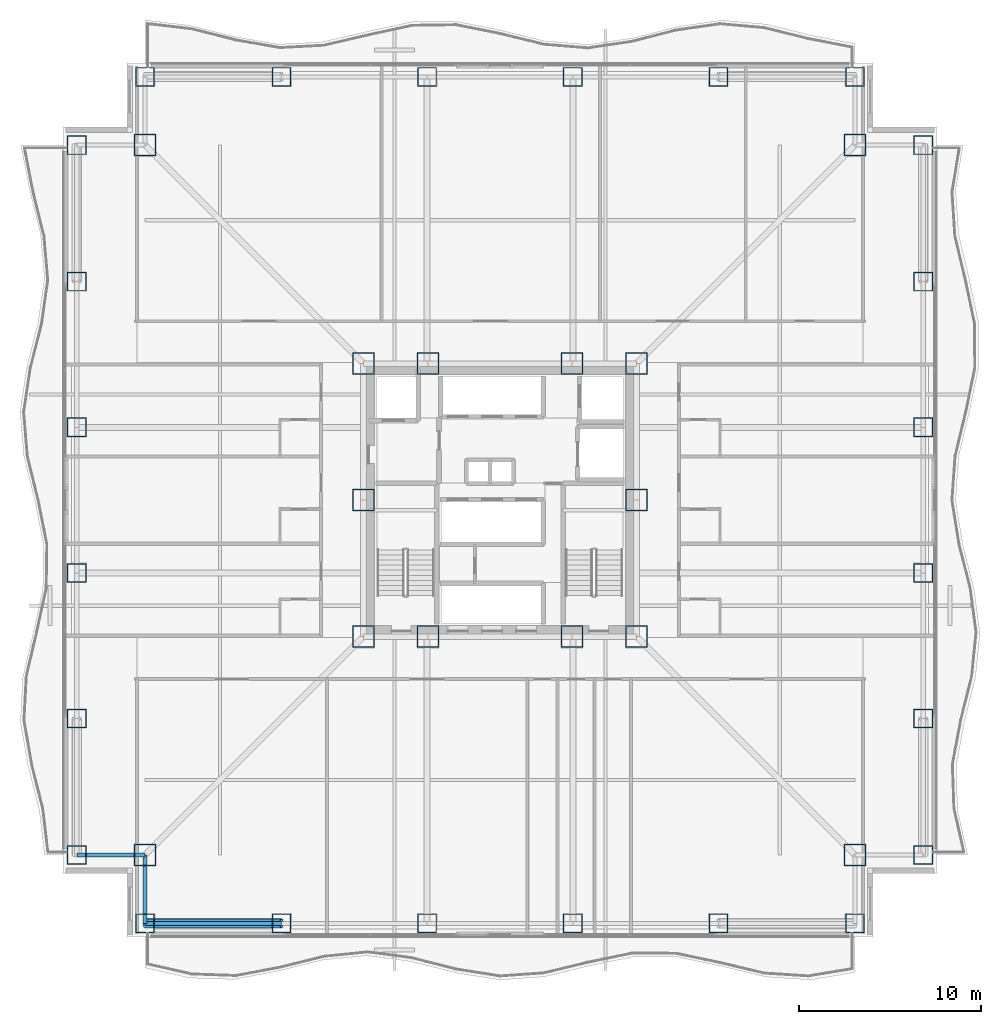
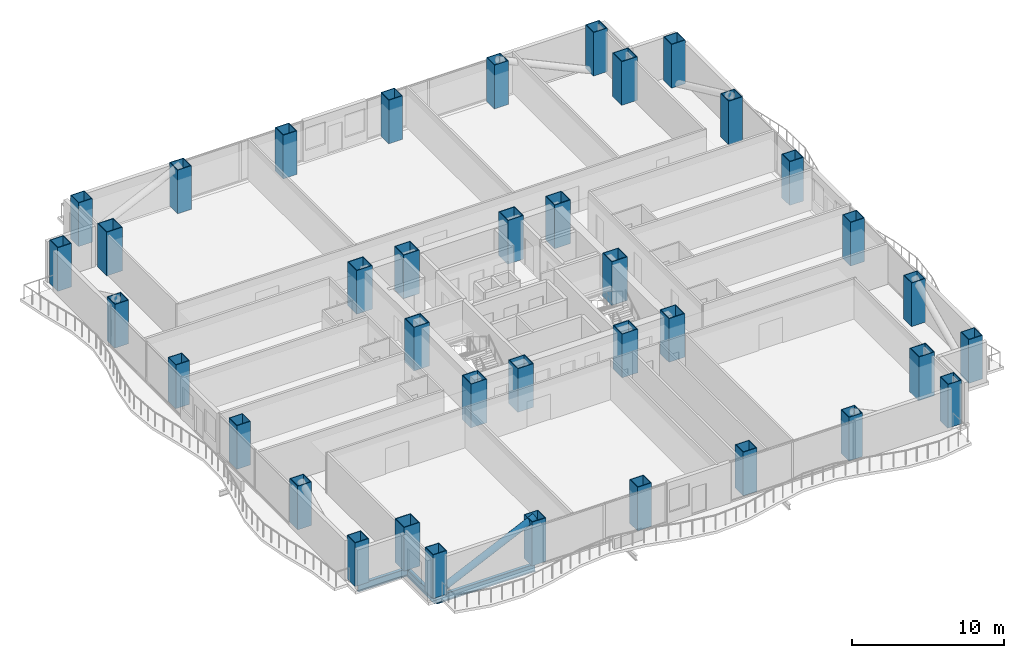
# One storey, part 1 of 24: 38 columns, 3 beams, 1 member.
"""IFC4 building model written with IfcOpenShell, lengths in metres."""

from ifc_helpers import new_model, si_unit, direction, frame, origin, origin_2d, place, context, subcontext, project, spatial, hollow_rectangle, hollow_circle, i_section, extrude, material, material_profile, profile_set, type_object, element, save


model = new_model("IFC4")

# Units and contexts
model_context = context("Model", 3, precision=1e-05, world=origin(), true_north=direction((0.0, 1.0)))
body_context = subcontext(model_context, "Body", "Model", "MODEL_VIEW")
ifc_project = project(units=[si_unit("LENGTHUNIT", "METRE"), si_unit("AREAUNIT", "SQUARE_METRE"), si_unit("VOLUMEUNIT", "CUBIC_METRE"), si_unit("PLANEANGLEUNIT", "RADIAN"), si_unit("MASSUNIT", "GRAM", prefix="KILO")], contexts=[model_context])

# Site, building, storey
site_placement = place(None, origin())
site = spatial("IfcSite", under=ifc_project, at=site_placement, CompositionType="ELEMENT")
building_placement = place(site_placement, origin())
building = spatial("IfcBuilding", under=site, at=building_placement, Name="Trevonay Congress Spire", CompositionType="ELEMENT")
storey_placement = place(building_placement, frame((0.0, 0.0, 55.0)))
storey = spatial("IfcBuildingStorey", under=building, at=storey_placement, Name="L13", CompositionType="ELEMENT", Elevation=55.0)

# Columns
ifc_material = material(Name="Steel ASTM A572 Grade 50", Category="steel")
ifc_material_profile_1 = material_profile(ifc_material, hollow_rectangle(XDim=1.199951171875, YDim=1.199951171875, WallThickness=0.054931640625, at=origin_2d()), Name="BOX 1200x1200x55")
ifc_profile_set_1 = profile_set([ifc_material_profile_1], Name="Steel ASTM A572 Grade 50")
column_type_1 = type_object("IfcColumnType", Name="COL-CORE-BOX1200", PredefinedType="COLUMN", material=ifc_profile_set_1)
for number, where, z_axis, x_axis, name in (
    (1, (-7.5, -7.5, 0.0), (0.0, 0.0, 1.0), (1.0, 0.0, 0.0), "L13 column C02 at CC-SW"),
    (2, (-3.949951171875, -7.5, 0.0), (0.0, 0.0, 1.0), (1.0, 0.0, 0.0), "L13 column C02 at CC-SMW"),
    (3, (3.949951171875, -7.5, 0.0), (0.0, 0.0, 1.0), (1.0, 0.0, 0.0), "L13 column C02 at CC-SME"),
    (4, (7.5, -7.5, 0.0), (0.0, 0.0, 1.0), (1.0, 0.0, 0.0), "L13 column C02 at CC-SE"),
    (5, (7.5, 0.0, 0.0), (0.0, 0.0, 1.0), (1.0, 0.0, 0.0), "L13 column C02 at CC-E"),
    (6, (7.5, 7.5, 0.0), (0.0, 0.0, 1.0), (1.0, 0.0, 0.0), "L13 column C02 at CC-NE"),
    (7, (3.949951171875, 7.5, 0.0), (0.0, 0.0, 1.0), (1.0, 0.0, 0.0), "L13 column C02 at CC-NME"),
    (8, (-3.949951171875, 7.5, 0.0), (0.0, 0.0, 1.0), (1.0, 0.0, 0.0), "L13 column C02 at CC-NMW"),
    (9, (-7.5, 7.5, 0.0), (0.0, 0.0, 1.0), (1.0, 0.0, 0.0), "L13 column C02 at CC-NW"),
    (10, (-7.5, 0.0, 0.0), (0.0, 0.0, 1.0), (1.0, 0.0, 0.0), "L13 column C02 at CC-W"),
):
    element("IfcColumn", number, at=place(storey_placement, frame(where, z_axis=z_axis, x_axis=x_axis)), inside=storey, type_object=column_type_1, Name=name, PredefinedType="COLUMN", context=body_context, shape_type="SweptSolid", body=[
        extrude(hollow_rectangle(XDim=1.199951171875, YDim=1.199951171875, WallThickness=0.054931640625, at=origin_2d()), origin(), (0.0, 0.0, 1.0), 3.5),
    ])
ifc_material_profile_2 = material_profile(ifc_material, hollow_rectangle(XDim=1.199951171875, YDim=1.199951171875, WallThickness=0.054931640625, at=origin_2d()), Name="BOX 1200x1200x55")
ifc_profile_set_2 = profile_set([ifc_material_profile_2], Name="Steel ASTM A572 Grade 50")
column_type_2 = type_object("IfcColumnType", Name="COL-NOTCH-BOX1200", PredefinedType="COLUMN", material=ifc_profile_set_2)
for number, where, z_axis, x_axis, name in (
    (11, (-19.5, -19.5, 0.0), (0.0, 0.0, 1.0), (1.0, 0.0, 0.0), "L13 column C19 at NC-SW"),
    (12, (19.5, -19.5, 0.0), (0.0, 0.0, 1.0), (1.0, 0.0, 0.0), "L13 column C19 at NC-SE"),
    (13, (19.5, 19.5, 0.0), (0.0, 0.0, 1.0), (1.0, 0.0, 0.0), "L13 column C19 at NC-NE"),
    (14, (-19.5, 19.5, 0.0), (0.0, 0.0, 1.0), (1.0, 0.0, 0.0), "L13 column C19 at NC-NW"),
):
    element("IfcColumn", number, at=place(storey_placement, frame(where, z_axis=z_axis, x_axis=x_axis)), inside=storey, type_object=column_type_2, Name=name, PredefinedType="COLUMN", context=body_context, shape_type="SweptSolid", body=[
        extrude(hollow_rectangle(XDim=1.199951171875, YDim=1.199951171875, WallThickness=0.054931640625, at=origin_2d()), origin(), (0.0, 0.0, 1.0), 3.5),
    ])
ifc_material_profile_3 = material_profile(ifc_material, hollow_rectangle(XDim=1.050048828125, YDim=1.050048828125, WallThickness=0.050048828125, at=origin_2d()), Name="BOX 1050x1050x50")
ifc_profile_set_3 = profile_set([ifc_material_profile_3], Name="Steel ASTM A572 Grade 50")
column_type_3 = type_object("IfcColumnType", Name="COL-TUBE-BOX1050", PredefinedType="COLUMN", material=ifc_profile_set_3)
for number, where, z_axis, x_axis, name in (
    (15, (-19.5, -23.25, 0.0), (0.0, 0.0, 1.0), (1.0, 0.0, 0.0), "L13 column C14 at TS-1"),
    (16, (-19.5, 23.25, 0.0), (0.0, 0.0, 1.0), (1.0, 0.0, 0.0), "L13 column C14 at TN-1"),
    (17, (-23.25, -19.5, 0.0), (0.0, 0.0, 1.0), (1.0, 0.0, 0.0), "L13 column C14 at TW-1"),
    (18, (23.25, -19.5, 0.0), (0.0, 0.0, 1.0), (1.0, 0.0, 0.0), "L13 column C14 at TE-1"),
    (19, (-12.0, -23.25, 0.0), (0.0, 0.0, 1.0), (1.0, 0.0, 0.0), "L13 column C14 at TS-2"),
    (20, (-12.0, 23.25, 0.0), (0.0, 0.0, 1.0), (1.0, 0.0, 0.0), "L13 column C14 at TN-2"),
    (21, (-23.25, -12.0, 0.0), (0.0, 0.0, 1.0), (1.0, 0.0, 0.0), "L13 column C14 at TW-2"),
    (22, (23.25, -12.0, 0.0), (0.0, 0.0, 1.0), (1.0, 0.0, 0.0), "L13 column C14 at TE-2"),
    (23, (-4.0, -23.25, 0.0), (0.0, 0.0, 1.0), (1.0, 0.0, 0.0), "L13 column C14 at TS-3"),
    (24, (-4.0, 23.25, 0.0), (0.0, 0.0, 1.0), (1.0, 0.0, 0.0), "L13 column C14 at TN-3"),
    (25, (-23.25, -4.0, 0.0), (0.0, 0.0, 1.0), (1.0, 0.0, 0.0), "L13 column C14 at TW-3"),
    (26, (23.25, -4.0, 0.0), (0.0, 0.0, 1.0), (1.0, 0.0, 0.0), "L13 column C14 at TE-3"),
    (27, (4.0, -23.25, 0.0), (0.0, 0.0, 1.0), (1.0, 0.0, 0.0), "L13 column C14 at TS-4"),
    (28, (4.0, 23.25, 0.0), (0.0, 0.0, 1.0), (1.0, 0.0, 0.0), "L13 column C14 at TN-4"),
    (29, (-23.25, 4.0, 0.0), (0.0, 0.0, 1.0), (1.0, 0.0, 0.0), "L13 column C14 at TW-4"),
    (30, (23.25, 4.0, 0.0), (0.0, 0.0, 1.0), (1.0, 0.0, 0.0), "L13 column C14 at TE-4"),
    (31, (12.0, -23.25, 0.0), (0.0, 0.0, 1.0), (1.0, 0.0, 0.0), "L13 column C14 at TS-5"),
    (32, (12.0, 23.25, 0.0), (0.0, 0.0, 1.0), (1.0, 0.0, 0.0), "L13 column C14 at TN-5"),
    (33, (-23.25, 12.0, 0.0), (0.0, 0.0, 1.0), (1.0, 0.0, 0.0), "L13 column C14 at TW-5"),
    (34, (23.25, 12.0, 0.0), (0.0, 0.0, 1.0), (1.0, 0.0, 0.0), "L13 column C14 at TE-5"),
    (35, (19.5, -23.25, 0.0), (0.0, 0.0, 1.0), (1.0, 0.0, 0.0), "L13 column C14 at TS-6"),
    (36, (19.5, 23.25, 0.0), (0.0, 0.0, 1.0), (1.0, 0.0, 0.0), "L13 column C14 at TN-6"),
    (37, (-23.25, 19.5, 0.0), (0.0, 0.0, 1.0), (1.0, 0.0, 0.0), "L13 column C14 at TW-6"),
    (38, (23.25, 19.5, 0.0), (0.0, 0.0, 1.0), (1.0, 0.0, 0.0), "L13 column C14 at TE-6"),
):
    element("IfcColumn", number, at=place(storey_placement, frame(where, z_axis=z_axis, x_axis=x_axis)), inside=storey, type_object=column_type_3, Name=name, PredefinedType="COLUMN", context=body_context, shape_type="SweptSolid", body=[
        extrude(hollow_rectangle(XDim=1.050048828125, YDim=1.050048828125, WallThickness=0.050048828125, at=origin_2d()), origin(), (0.0, 0.0, 1.0), 3.5),
    ])

# Beams
ifc_material_profile_4 = material_profile(ifc_material, i_section(OverallWidth=0.22998046875, OverallDepth=0.616943359375, WebThickness=0.01318359375, FlangeThickness=0.022216796875, FilletRadius=0.01611328125, at=origin_2d()), Name="W610x140")
ifc_profile_set_4 = profile_set([ifc_material_profile_4], Name="Steel ASTM A572 Grade 50")
beam_type = type_object("IfcBeamType", Name="BM-RING-W610X140", PredefinedType="BEAM", material=ifc_profile_set_4)
beam_placement = place(storey_placement, frame((-19.5, -23.25, -0.55859375), z_axis=(1.0, 0.0, 0.0), x_axis=(0.0, 1.0, 0.0)))
element("IfcBeam", 39, at=beam_placement, inside=storey, type_object=beam_type, Name="L13 structural beam BM-L13-PS1", PredefinedType="BEAM", context=body_context, shape_type="SweptSolid", body=[
    extrude(i_section(OverallWidth=0.22998046875, OverallDepth=0.616943359375, WebThickness=0.01318359375, FlangeThickness=0.022216796875, FilletRadius=0.01611328125, at=origin_2d()), origin(), (0.0, 0.0, 1.0), 7.5),
])
for number, where, z_axis, x_axis, name in (
    (40, (-19.5, -23.25, -0.55859375), (0.0, 1.0, 0.0), (-1.0, 0.0, 0.0), "L13 structural beam BM-L13-N1SW"),
    (41, (-23.25, -19.5, -0.55859375), (1.0, 0.0, 0.0), (0.0, 1.0, 0.0), "L13 structural beam BM-L13-N2SW"),
):
    element("IfcBeam", number, at=place(storey_placement, frame(where, z_axis=z_axis, x_axis=x_axis)), inside=storey, type_object=beam_type, Name=name, PredefinedType="BEAM", context=body_context, shape_type="SweptSolid", body=[
        extrude(i_section(OverallWidth=0.22998046875, OverallDepth=0.616943359375, WebThickness=0.01318359375, FlangeThickness=0.022216796875, FilletRadius=0.01611328125, at=origin_2d()), origin(), (0.0, 0.0, 1.0), 3.75),
    ])

# Member
ifc_material_profile_5 = material_profile(ifc_material, hollow_circle(Radius=0.25390625, WallThickness=0.02490234375, at=origin_2d()), Name="CHS 508x25")
ifc_profile_set_5 = profile_set([ifc_material_profile_5], Name="Steel ASTM A572 Grade 50")
member_type = type_object("IfcMemberType", Name="MBR-TUBE-CHS508", PredefinedType="BRACE", material=ifc_profile_set_5)
member_placement = place(storey_placement, frame((-19.5, -23.25, -0.050048828125), z_axis=(0.906183139995, 0.0, 0.422885465331), x_axis=(0.0, 1.0, 0.0)))
element("IfcMember", 42, at=member_placement, inside=storey, type_object=member_type, Name="L13 perimeter braced-tube diagonal S0", PredefinedType="BRACE", context=body_context, shape_type="SweptSolid", body=[
    extrude(hollow_circle(Radius=0.25390625, WallThickness=0.02490234375, at=origin_2d()), origin(), (0.0, 0.0, 1.0), 8.2763671875),
])

save(model, "model.ifc")
